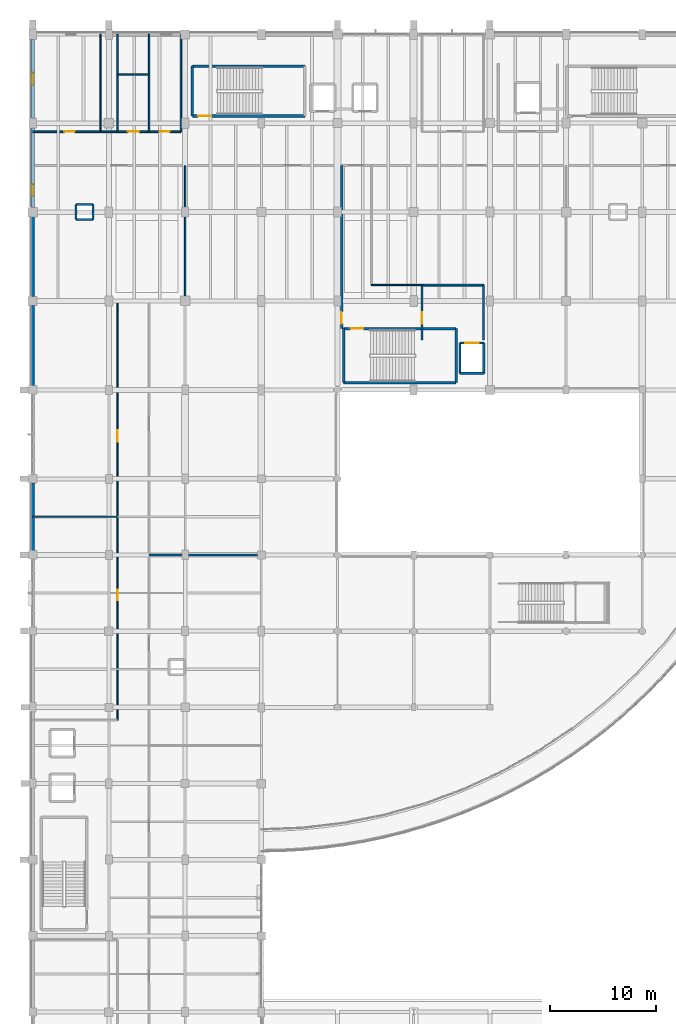
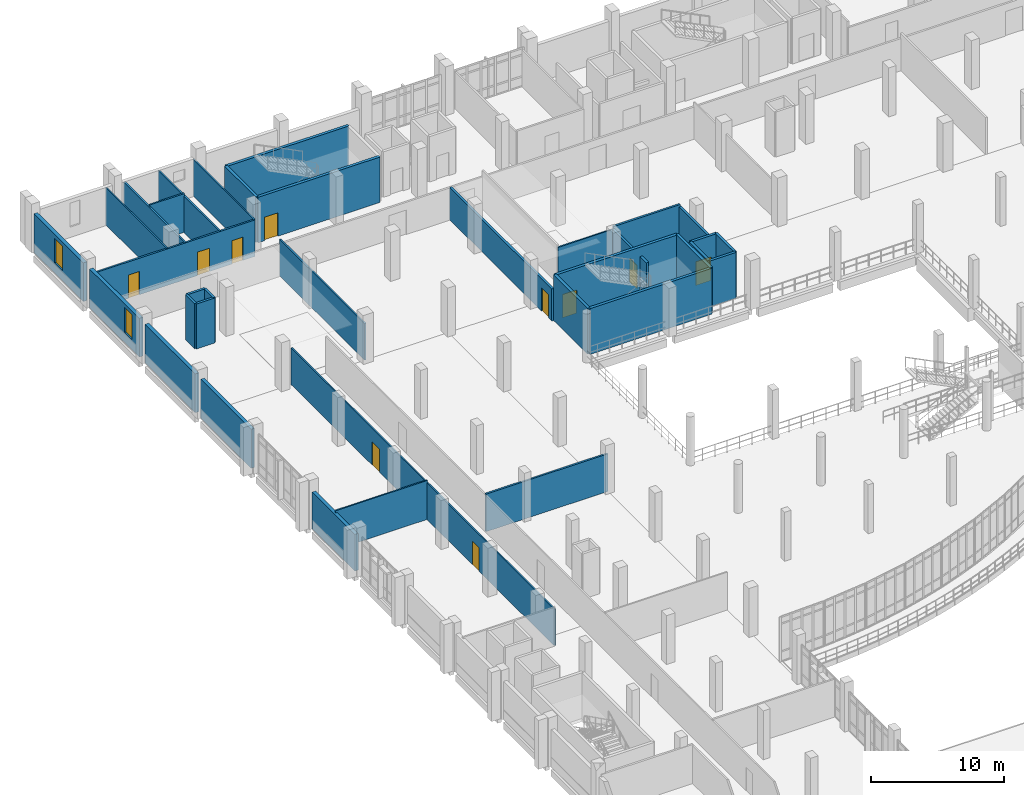
# One storey, part 115 of 134: 35 walls, 10 doors, 2 windows, 12 openings.
"""IFC4 building model written with IfcOpenShell, lengths in metres."""

from ifc_helpers import new_model, si_unit, direction, frame, frame_2d, origin, place, context, subcontext, project, spatial, rectangle, extrude, material, layer, layer_set, type_object, element, fill, save


model = new_model("IFC4")

# Units and contexts
model_context = context("Model", 3, precision=1e-05, world=origin(), true_north=direction((0.0, 1.0)))
body_context = subcontext(model_context, "Body", "Model", "MODEL_VIEW")
ifc_project = project(units=[si_unit("LENGTHUNIT", "METRE"), si_unit("AREAUNIT", "SQUARE_METRE"), si_unit("VOLUMEUNIT", "CUBIC_METRE"), si_unit("PLANEANGLEUNIT", "RADIAN"), si_unit("MASSUNIT", "GRAM", prefix="KILO")], contexts=[model_context])

# Site, building, storey
site_placement = place(None, origin())
site = spatial("IfcSite", under=ifc_project, at=site_placement, CompositionType="ELEMENT")
building_placement = place(site_placement, origin())
building = spatial("IfcBuilding", under=site, at=building_placement, Name="Kalluvel Institute of Natural Sciences", CompositionType="ELEMENT")
storey_placement = place(building_placement, frame((0.0, 0.0, 5.39990234375)))
storey = spatial("IfcBuildingStorey", under=building, at=storey_placement, Name="L01", CompositionType="ELEMENT", Elevation=5.39990234375)

# Wall, opening, door
ifc_material_1 = material(Name="Concrete M40", Category="concrete")
ifc_layer_1 = layer(ifc_material_1, 0.25)
ifc_layer_set_1 = layer_set([ifc_layer_1], Name="Concrete M40")
wall_type_1 = type_object("IfcWallType", Name="WL-CORE-250", PredefinedType="SHEAR", material=ifc_layer_set_1)
wall_1_placement = place(storey_placement, frame((29.0849609375, 120.284912109375, 0.0), z_axis=(0.0, 0.0, 1.0), x_axis=(1.0, 0.0, 0.0)))
wall_1 = element("IfcWall", 1, at=wall_1_placement, inside=storey, type_object=wall_type_1, Name="ST1 L01 core wall S", PredefinedType="SHEAR", context=body_context, shape_type="SweptSolid", body=[
    extrude(rectangle(XDim=10.630126953125, YDim=0.25, at=frame_2d((5.31494140625, 0.0))), origin(), (0.0, 0.0, 1.0), 4.175048828125),
])
opening_1_placement = place(wall_1_placement, frame((0.550048828125, 0.0, 0.0)))
opening_1 = element("IfcOpeningElement", 2, at=opening_1_placement, cuts=wall_1, Name="Opening DS-003", PredefinedType="OPENING", context=body_context, shape_type="SweptSolid", body=[
    extrude(rectangle(XDim=1.199951171875, YDim=2.14990234375, at=frame_2d((0.60009765625, 1.074951171875))), frame((0.0, 0.135009765625, 0.0), z_axis=(0.0, -1.0, 0.0), x_axis=(1.0, 0.0, 0.0)), (0.0, 0.0, 1.0), 0.27001953125),
])
ifc_material_2 = material(Name="Galvanized Fire-Rated Steel", Category="steel")
door_type_1 = type_object("IfcDoorType", Name="DR-ST-1200", OperationType="NOTDEFINED", PredefinedType="DOOR", material=ifc_material_2)
door_1_placement = place(opening_1_placement, origin())
door_1 = element("IfcDoor", 3, at=door_1_placement, inside=storey, type_object=door_type_1, Name="ST1 L01 protected stair door DS-003", OperationType="SINGLE_SWING_LEFT", OverallHeight=2.14990234375, OverallWidth=1.199951171875, PredefinedType="DOOR", context=body_context, shape_type="SweptSolid", body=[
    extrude(rectangle(XDim=1.199951171875, YDim=2.14990234375, at=frame_2d((0.60009765625, 1.074951171875))), frame((0.0, 0.02490234375, 0.0), z_axis=(0.0, -1.0, 0.0), x_axis=(1.0, 0.0, 0.0)), (0.0, 0.0, 1.0), 0.050048828125),
])
fill(opening_1, door_1)

# Walls
wall_2_placement = place(storey_placement, frame((39.715087890625, 124.985107421875, 0.0), z_axis=(0.0, 0.0, 1.0), x_axis=(-1.0, 0.0, 0.0)))
element("IfcWall", 4, at=wall_2_placement, inside=storey, type_object=wall_type_1, Name="ST1 L01 core wall N", PredefinedType="SHEAR", context=body_context, shape_type="SweptSolid", body=[
    extrude(rectangle(XDim=10.630126953125, YDim=0.25, at=frame_2d((5.31494140625, 0.0))), origin(), (0.0, 0.0, 1.0), 4.175048828125),
])
wall_3_placement = place(storey_placement, frame((29.0849609375, 124.985107421875, 0.0), z_axis=(0.0, 0.0, 1.0), x_axis=(0.0, -1.0, 0.0)))
element("IfcWall", 5, at=wall_3_placement, inside=storey, type_object=wall_type_1, Name="ST1 L01 core wall W", PredefinedType="SHEAR", context=body_context, shape_type="SweptSolid", body=[
    extrude(rectangle(XDim=4.7001953125, YDim=0.25, at=frame_2d((2.35009765625, 0.0))), origin(), (0.0, 0.0, 1.0), 4.175048828125),
])
wall_4_placement = place(storey_placement, frame((43.385009765625, 95.0849609375, 0.0), z_axis=(0.0, 0.0, 1.0), x_axis=(1.0, 0.0, 0.0)))
element("IfcWall", 6, at=wall_4_placement, inside=storey, type_object=wall_type_1, Name="ST3 L01 core wall S", PredefinedType="SHEAR", context=body_context, shape_type="SweptSolid", body=[
    extrude(rectangle(XDim=10.6298828125, YDim=0.25, at=frame_2d((5.31494140625, 0.0))), origin(), (0.0, 0.0, 1.0), 4.215087890625),
])
wall_5_placement = place(storey_placement, frame((54.014892578125, 95.0849609375, 0.0), z_axis=(0.0, 0.0, 1.0), x_axis=(0.0, 1.0, 0.0)))
element("IfcWall", 7, at=wall_5_placement, inside=storey, type_object=wall_type_1, Name="ST3 L01 core wall E", PredefinedType="SHEAR", context=body_context, shape_type="SweptSolid", body=[
    extrude(rectangle(XDim=5.10009765625, YDim=0.25, at=frame_2d((2.550048828125, 0.0))), origin(), (0.0, 0.0, 1.0), 4.215087890625),
])

# Wall, opening, door
wall_6_placement = place(storey_placement, frame((54.014892578125, 100.18505859375, 0.0), z_axis=(0.0, 0.0, 1.0), x_axis=(-1.0, 0.0, 0.0)))
wall_6 = element("IfcWall", 8, at=wall_6_placement, inside=storey, type_object=wall_type_1, Name="ST3 L01 core wall N", PredefinedType="SHEAR", context=body_context, shape_type="SweptSolid", body=[
    extrude(rectangle(XDim=10.6298828125, YDim=0.25, at=frame_2d((5.31494140625, 0.0))), origin(), (0.0, 0.0, 1.0), 4.215087890625),
])
opening_2_placement = place(wall_6_placement, frame((8.780029296875, 0.0, 0.0)))
opening_2 = element("IfcOpeningElement", 9, at=opening_2_placement, cuts=wall_6, Name="Opening DS-025", PredefinedType="OPENING", context=body_context, shape_type="SweptSolid", body=[
    extrude(rectangle(XDim=1.199951171875, YDim=2.14990234375, at=frame_2d((0.60009765625, 1.074951171875))), frame((0.0, 0.135009765625, 0.0), z_axis=(0.0, -1.0, 0.0), x_axis=(1.0, 0.0, 0.0)), (0.0, 0.0, 1.0), 0.27001953125),
])
door_2_placement = place(opening_2_placement, origin())
door_2 = element("IfcDoor", 10, at=door_2_placement, inside=storey, type_object=door_type_1, Name="ST3 L01 protected stair door DS-025", OperationType="SINGLE_SWING_LEFT", OverallHeight=2.14990234375, OverallWidth=1.199951171875, PredefinedType="DOOR", context=body_context, shape_type="SweptSolid", body=[
    extrude(rectangle(XDim=1.199951171875, YDim=2.14990234375, at=frame_2d((0.60009765625, 1.074951171875))), frame((0.0, 0.02490234375, 0.0), z_axis=(0.0, -1.0, 0.0), x_axis=(1.0, 0.0, 0.0)), (0.0, 0.0, 1.0), 0.050048828125),
])
fill(opening_2, door_2)

# Walls
wall_7_placement = place(storey_placement, frame((43.385009765625, 100.18505859375, 0.0), z_axis=(0.0, 0.0, 1.0), x_axis=(0.0, -1.0, 0.0)))
element("IfcWall", 11, at=wall_7_placement, inside=storey, type_object=wall_type_1, Name="ST3 L01 core wall W", PredefinedType="SHEAR", context=body_context, shape_type="SweptSolid", body=[
    extrude(rectangle(XDim=5.10009765625, YDim=0.25, at=frame_2d((2.550048828125, 0.0))), origin(), (0.0, 0.0, 1.0), 4.215087890625),
])
ifc_material_3 = material(Name="Sadarahalli Grey Granite Ashlar Concrete M40", Category="masonry")
ifc_layer_2 = layer(ifc_material_3, 0.300048828125)
ifc_layer_set_2 = layer_set([ifc_layer_2], Name="Sadarahalli Grey Granite Ashlar Concrete M40")
wall_type_2 = type_object("IfcWallType", Name="WL-EXT-300", PredefinedType="SOLIDWALL", material=ifc_layer_set_2)
wall_8_placement = place(storey_placement, frame((14.0, 79.179931640625, 0.0), z_axis=(0.0, 0.0, 1.0), x_axis=(0.0, 1.0, 0.0)))
element("IfcWall", 12, at=wall_8_placement, inside=storey, type_object=wall_type_2, Name="L01 Sadarahalli granite exterior wall WL-EXT-L01-0153", PredefinedType="SOLIDWALL", context=body_context, shape_type="SweptSolid", body=[
    extrude(rectangle(XDim=6.440185546875, YDim=0.300048828125, at=frame_2d((3.22021484375, 0.0))), origin(), (0.0, 0.0, 1.0), 3.375),
])
wall_9_placement = place(storey_placement, frame((14.0, 94.780029296875, 0.0), z_axis=(0.0, 0.0, 1.0), x_axis=(0.0, 1.0, 0.0)))
element("IfcWall", 13, at=wall_9_placement, inside=storey, type_object=wall_type_2, Name="L01 Sadarahalli granite exterior wall WL-EXT-L01-0154", PredefinedType="SOLIDWALL", context=body_context, shape_type="SweptSolid", body=[
    extrude(rectangle(XDim=7.614990234375, YDim=0.300048828125, at=frame_2d((3.8076171875, 0.0))), origin(), (0.0, 0.0, 1.0), 3.5751953125),
])
ifc_layer_3 = layer(ifc_material_3, 0.320068359375)
ifc_layer_set_3 = layer_set([ifc_layer_3], Name="Sadarahalli Grey Granite Ashlar Concrete M40")
wall_type_3 = type_object("IfcWallType", Name="WL-EXT-320", PredefinedType="SOLIDWALL", material=ifc_layer_set_3)
wall_10_placement = place(storey_placement, frame((14.0, 103.205078125, 0.0), z_axis=(0.0, 0.0, 1.0), x_axis=(0.0, 1.0, 0.0)))
element("IfcWall", 14, at=wall_10_placement, inside=storey, type_object=wall_type_3, Name="L01 Sadarahalli granite exterior wall WL-EXT-L01-0025", PredefinedType="SOLIDWALL", context=body_context, shape_type="SweptSolid", body=[
    extrude(rectangle(XDim=7.56494140625, YDim=0.320068359375, at=frame_2d((3.782470703125, 0.0))), origin(), (0.0, 0.0, 1.0), 3.55517578125),
])

# Wall, opening, window
wall_11_placement = place(storey_placement, frame((14.0, 111.6298828125, 0.0), z_axis=(0.0, 0.0, 1.0), x_axis=(0.0, 1.0, 0.0)))
wall_11 = element("IfcWall", 15, at=wall_11_placement, inside=storey, type_object=wall_type_3, Name="L01 Sadarahalli granite exterior wall WL-EXT-L01-0026", PredefinedType="SOLIDWALL", context=body_context, shape_type="SweptSolid", body=[
    extrude(rectangle(XDim=7.51513671875, YDim=0.320068359375, at=frame_2d((3.757568359375, 0.0))), origin(), (0.0, 0.0, 1.0), 3.55517578125),
])
opening_3_placement = place(wall_11_placement, frame((1.10009765625, 0.0, 0.949951171875)))
opening_3 = element("IfcOpeningElement", 16, at=opening_3_placement, cuts=wall_11, Name="Opening W-03", PredefinedType="OPENING", context=body_context, shape_type="SweptSolid", body=[
    extrude(rectangle(XDim=1.10009765625, YDim=2.300048828125, at=frame_2d((0.550048828125, 1.14990234375))), frame((0.0, 0.169921875, 0.0), z_axis=(0.0, -1.0, 0.0), x_axis=(1.0, 0.0, 0.0)), (0.0, 0.0, 1.0), 0.340087890625),
])
ifc_material_4 = material(Name="Solar-Control Low-E Laminated Glass", Category="glass")
window_type_1 = type_object("IfcWindowType", Name="WN-LAN-110x230", PartitioningType="SINGLE_PANEL", PredefinedType="WINDOW", material=ifc_material_4)
window_1_placement = place(opening_3_placement, origin())
window_1 = element("IfcWindow", 17, at=window_1_placement, inside=storey, type_object=window_type_1, Name="L01 Gothic lancet window 13", OverallHeight=2.300048828125, OverallWidth=1.10009765625, PartitioningType="SINGLE_PANEL", PredefinedType="WINDOW", context=body_context, shape_type="SweptSolid", body=[
    extrude(rectangle(XDim=1.10009765625, YDim=2.300048828125, at=frame_2d((0.550048828125, 1.14990234375))), frame((0.0, 0.030029296875, 0.0), z_axis=(0.0, -1.0, 0.0), x_axis=(1.0, 0.0, 0.0)), (0.0, 0.0, 1.0), 0.06005859375),
])
fill(opening_3, window_1)

wall_12_placement = place(storey_placement, frame((14.0, 120.054931640625, 0.0), z_axis=(0.0, 0.0, 1.0), x_axis=(0.0, 1.0, 0.0)))
wall_12 = element("IfcWall", 18, at=wall_12_placement, inside=storey, type_object=wall_type_3, Name="L01 Sadarahalli granite exterior wall WL-EXT-L01-0027", PredefinedType="SOLIDWALL", context=body_context, shape_type="SweptSolid", body=[
    extrude(rectangle(XDim=7.465087890625, YDim=0.320068359375, at=frame_2d((3.732421875, 0.0))), origin(), (0.0, 0.0, 1.0), 3.55517578125),
])
opening_4_placement = place(wall_12_placement, frame((3.157470703125, 0.0, 0.949951171875)))
opening_4 = element("IfcOpeningElement", 19, at=opening_4_placement, cuts=wall_12, Name="Opening W-16", PredefinedType="OPENING", context=body_context, shape_type="SweptSolid", body=[
    extrude(rectangle(XDim=1.14990234375, YDim=2.25, at=frame_2d((0.574951171875, 1.125))), frame((0.0, 0.169921875, 0.0), z_axis=(0.0, -1.0, 0.0), x_axis=(1.0, 0.0, 0.0)), (0.0, 0.0, 1.0), 0.340087890625),
])
window_type_2 = type_object("IfcWindowType", Name="WN-LAN-115x225", PartitioningType="SINGLE_PANEL", PredefinedType="WINDOW", material=ifc_material_4)
window_2_placement = place(opening_4_placement, origin())
window_2 = element("IfcWindow", 20, at=window_2_placement, inside=storey, type_object=window_type_2, Name="L01 Gothic lancet window 14", OverallHeight=2.25, OverallWidth=1.14990234375, PartitioningType="SINGLE_PANEL", PredefinedType="WINDOW", context=body_context, shape_type="SweptSolid", body=[
    extrude(rectangle(XDim=1.14990234375, YDim=2.25, at=frame_2d((0.574951171875, 1.125))), frame((0.0, 0.030029296875, 0.0), z_axis=(0.0, -1.0, 0.0), x_axis=(1.0, 0.0, 0.0)), (0.0, 0.0, 1.0), 0.06005859375),
])
fill(opening_4, window_2)

# Wall
ifc_material_5 = material(Name="Autoclaved Aerated Concrete Masonry Block", Category="masonry")
ifc_layer_4 = layer(ifc_material_5, 0.179931640625)
ifc_layer_set_4 = layer_set([ifc_layer_4], Name="Autoclaved Aerated Concrete Masonry Block")
wall_type_4 = type_object("IfcWallType", Name="WL-FIRE-180", PredefinedType="SOLIDWALL", material=ifc_layer_set_4)
wall_13_placement = place(storey_placement, frame((50.800048828125, 104.300048828125, 0.0), z_axis=(0.0, 0.0, 1.0), x_axis=(1.0, 0.0, 0.0)))
element("IfcWall", 21, at=wall_13_placement, inside=storey, type_object=wall_type_4, Name="L01 interior fire wall WL-INT-L01-0083", PredefinedType="SOLIDWALL", context=body_context, shape_type="SweptSolid", body=[
    extrude(rectangle(XDim=5.800048828125, YDim=0.179931640625, at=frame_2d((2.89990234375, 0.0))), origin(), (0.0, 0.0, 1.0), 3.56005859375),
])

# Wall, opening, door
ifc_layer_5 = layer(ifc_material_5, 0.199951171875)
ifc_layer_set_5 = layer_set([ifc_layer_5], Name="Autoclaved Aerated Concrete Masonry Block")
wall_type_5 = type_object("IfcWallType", Name="WL-FIRE-200", PredefinedType="SOLIDWALL", material=ifc_layer_set_5)
wall_14_placement = place(storey_placement, frame((50.800048828125, 99.10009765625, 0.0), z_axis=(0.0, 0.0, 1.0), x_axis=(0.0, 1.0, 0.0)))
wall_14 = element("IfcWall", 22, at=wall_14_placement, inside=storey, type_object=wall_type_5, Name="L01 interior fire wall WL-INT-L01-0081", PredefinedType="SOLIDWALL", context=body_context, shape_type="SweptSolid", body=[
    extrude(rectangle(XDim=5.199951171875, YDim=0.199951171875, at=frame_2d((2.60009765625, 0.0))), origin(), (0.0, 0.0, 1.0), 3.360107421875),
])
opening_5_placement = place(wall_14_placement, frame((1.550048828125, 0.0, 0.0)))
opening_5 = element("IfcOpeningElement", 23, at=opening_5_placement, cuts=wall_14, Name="Opening D-093", PredefinedType="OPENING", context=body_context, shape_type="SweptSolid", body=[
    extrude(rectangle(XDim=1.10009765625, YDim=2.14990234375, at=frame_2d((0.550048828125, 1.074951171875))), frame((0.0, 0.10986328125, 0.0), z_axis=(0.0, -1.0, 0.0), x_axis=(1.0, 0.0, 0.0)), (0.0, 0.0, 1.0), 0.219970703125),
])
door_type_2 = type_object("IfcDoorType", Name="DR-FD60-1100", OperationType="NOTDEFINED", PredefinedType="DOOR", material=ifc_material_2)
door_3_placement = place(opening_5_placement, origin())
door_3 = element("IfcDoor", 24, at=door_3_placement, inside=storey, type_object=door_type_2, Name="L01 ST3-FF2 link door D-093", OperationType="SINGLE_SWING_LEFT", OverallHeight=2.14990234375, OverallWidth=1.10009765625, PredefinedType="DOOR", context=body_context, shape_type="SweptSolid", body=[
    extrude(rectangle(XDim=1.10009765625, YDim=2.14990234375, at=frame_2d((0.550048828125, 1.074951171875))), frame((0.0, 0.02490234375, 0.0), z_axis=(0.0, -1.0, 0.0), x_axis=(1.0, 0.0, 0.0)), (0.0, 0.0, 1.0), 0.050048828125),
])
fill(opening_5, door_3)

# Wall
wall_15_placement = place(storey_placement, frame((56.60009765625, 99.10009765625, 0.0), z_axis=(0.0, 0.0, 1.0), x_axis=(0.0, 1.0, 0.0)))
element("IfcWall", 25, at=wall_15_placement, inside=storey, type_object=wall_type_5, Name="L01 interior fire wall WL-INT-L01-0082", PredefinedType="SOLIDWALL", context=body_context, shape_type="SweptSolid", body=[
    extrude(rectangle(XDim=5.199951171875, YDim=0.199951171875, at=frame_2d((2.60009765625, 0.0))), origin(), (0.0, 0.0, 1.0), 3.360107421875),
])

# Wall, opening, door
wall_16_placement = place(storey_placement, frame((43.199951171875, 100.199951171875, 0.0), z_axis=(0.0, 0.0, 1.0), x_axis=(0.0, 1.0, 0.0)))
wall_16 = element("IfcWall", 26, at=wall_16_placement, inside=storey, type_object=wall_type_5, Name="L01 interior fire wall WL-INT-L01-0084", PredefinedType="SOLIDWALL", context=body_context, shape_type="SweptSolid", body=[
    extrude(rectangle(XDim=15.400146484375, YDim=0.199951171875, at=frame_2d((7.7001953125, 0.0))), origin(), (0.0, 0.0, 1.0), 2.960205078125),
])
opening_6_placement = place(wall_16_placement, frame((0.449951171875, 0.0, 0.0)))
opening_6 = element("IfcOpeningElement", 27, at=opening_6_placement, cuts=wall_16, Name="Opening D-094", PredefinedType="OPENING", context=body_context, shape_type="SweptSolid", body=[
    extrude(rectangle(XDim=1.10009765625, YDim=2.14990234375, at=frame_2d((0.550048828125, 1.074951171875))), frame((0.0, 0.10986328125, 0.0), z_axis=(0.0, -1.0, 0.0), x_axis=(1.0, 0.0, 0.0)), (0.0, 0.0, 1.0), 0.219970703125),
])
door_4_placement = place(opening_6_placement, origin())
door_4 = element("IfcDoor", 28, at=door_4_placement, inside=storey, type_object=door_type_2, Name="L01 Concourse to Central Stair door D-094", OperationType="SINGLE_SWING_LEFT", OverallHeight=2.14990234375, OverallWidth=1.10009765625, PredefinedType="DOOR", context=body_context, shape_type="SweptSolid", body=[
    extrude(rectangle(XDim=1.10009765625, YDim=2.14990234375, at=frame_2d((0.550048828125, 1.074951171875))), frame((0.0, 0.02490234375, 0.0), z_axis=(0.0, -1.0, 0.0), x_axis=(1.0, 0.0, 0.0)), (0.0, 0.0, 1.0), 0.050048828125),
])
fill(opening_6, door_4)

# Walls
ifc_material_6 = material(Name="Acoustic Gypsum Twin-Stud Partition", Category="gypsum")
ifc_layer_6 = layer(ifc_material_6, 0.1201171875)
ifc_layer_set_6 = layer_set([ifc_layer_6], Name="Acoustic Gypsum Twin-Stud Partition")
wall_type_6 = type_object("IfcWallType", Name="WL-PART-120", PredefinedType="PARTITIONING", material=ifc_layer_set_6)
wall_17_placement = place(storey_placement, frame((46.0, 104.300048828125, 0.0), z_axis=(0.0, 0.0, 1.0), x_axis=(1.0, 0.0, 0.0)))
element("IfcWall", 29, at=wall_17_placement, inside=storey, type_object=wall_type_6, Name="L01 interior partition wall WL-INT-L01-0086", PredefinedType="PARTITIONING", context=body_context, shape_type="SweptSolid", body=[
    extrude(rectangle(XDim=4.800048828125, YDim=0.1201171875, at=frame_2d((2.39990234375, 0.0))), origin(), (0.0, 0.0, 1.0), 3.31005859375),
])
wall_18_placement = place(storey_placement, frame((20.39990234375, 118.800048828125, 0.0), z_axis=(0.0, 0.0, 1.0), x_axis=(0.0, 1.0, 0.0)))
element("IfcWall", 30, at=wall_18_placement, inside=storey, type_object=wall_type_6, Name="L01 interior partition wall WL-INT-L01-0089", PredefinedType="PARTITIONING", context=body_context, shape_type="SweptSolid", body=[
    extrude(rectangle(XDim=9.199951171875, YDim=0.1201171875, at=frame_2d((4.60009765625, 0.0))), origin(), (0.0, 0.0, 1.0), 3.41015625),
])
wall_19_placement = place(storey_placement, frame((28.0, 118.800048828125, 0.0), z_axis=(0.0, 0.0, 1.0), x_axis=(0.0, 1.0, 0.0)))
element("IfcWall", 31, at=wall_19_placement, inside=storey, type_object=wall_type_6, Name="L01 interior partition wall WL-INT-L01-0092", PredefinedType="PARTITIONING", context=body_context, shape_type="SweptSolid", body=[
    extrude(rectangle(XDim=9.199951171875, YDim=0.1201171875, at=frame_2d((4.60009765625, 0.0))), origin(), (0.0, 0.0, 1.0), 3.360107421875),
])

# Wall, openings, doors
wall_20_placement = place(storey_placement, frame((22.0, 63.199951171875, 0.0), z_axis=(0.0, 0.0, 1.0), x_axis=(0.0, 1.0, 0.0)))
wall_20 = element("IfcWall", 32, at=wall_20_placement, inside=storey, type_object=wall_type_6, Name="L01 interior partition wall WL-INT-L01-0110", PredefinedType="PARTITIONING", context=body_context, shape_type="SweptSolid", body=[
    extrude(rectangle(XDim=39.60009765625, YDim=0.1201171875, at=frame_2d((19.800048828125, 0.0))), origin(), (0.0, 0.0, 1.0), 3.380126953125),
])
opening_7_placement = place(wall_20_placement, frame((11.300048828125, 0.0, 0.0)))
opening_7 = element("IfcOpeningElement", 33, at=opening_7_placement, cuts=wall_20, Name="Opening D-114", PredefinedType="OPENING", context=body_context, shape_type="SweptSolid", body=[
    extrude(rectangle(XDim=1.0, YDim=2.14990234375, at=frame_2d((0.5, 1.074951171875))), frame((0.0, 0.070068359375, 0.0), z_axis=(0.0, -1.0, 0.0), x_axis=(1.0, 0.0, 0.0)), (0.0, 0.0, 1.0), 0.14013671875),
])
opening_8_placement = place(wall_20_placement, frame((26.300048828125, 0.0, 0.0)))
opening_8 = element("IfcOpeningElement", 34, at=opening_8_placement, cuts=wall_20, Name="Opening D-115", PredefinedType="OPENING", context=body_context, shape_type="SweptSolid", body=[
    extrude(rectangle(XDim=1.10009765625, YDim=2.14990234375, at=frame_2d((0.550048828125, 1.074951171875))), frame((0.0, 0.070068359375, 0.0), z_axis=(0.0, -1.0, 0.0), x_axis=(1.0, 0.0, 0.0)), (0.0, 0.0, 1.0), 0.14013671875),
])
ifc_material_7 = material(Name="Engineered Hardwood Acoustic Leaf", Category="wood")
door_type_3 = type_object("IfcDoorType", Name="DR-INT-1000", OperationType="NOTDEFINED", PredefinedType="DOOR", material=ifc_material_7)
door_5_placement = place(opening_7_placement, origin())
door_5 = element("IfcDoor", 35, at=door_5_placement, inside=storey, type_object=door_type_3, Name="L01 DW-N1 door D-114", OperationType="SINGLE_SWING_LEFT", OverallHeight=2.14990234375, OverallWidth=1.0, PredefinedType="DOOR", context=body_context, shape_type="SweptSolid", body=[
    extrude(rectangle(XDim=1.0, YDim=2.14990234375, at=frame_2d((0.5, 1.074951171875))), frame((0.0, 0.02490234375, 0.0), z_axis=(0.0, -1.0, 0.0), x_axis=(1.0, 0.0, 0.0)), (0.0, 0.0, 1.0), 0.050048828125),
])
fill(opening_7, door_5)
door_type_4 = type_object("IfcDoorType", Name="DR-INT-1100", OperationType="NOTDEFINED", PredefinedType="DOOR", material=ifc_material_7)
door_6_placement = place(opening_8_placement, origin())
door_6 = element("IfcDoor", 36, at=door_6_placement, inside=storey, type_object=door_type_4, Name="L01 DW-N2 door D-115", OperationType="SINGLE_SWING_RIGHT", OverallHeight=2.14990234375, OverallWidth=1.10009765625, PredefinedType="DOOR", context=body_context, shape_type="SweptSolid", body=[
    extrude(rectangle(XDim=1.10009765625, YDim=2.14990234375, at=frame_2d((0.550048828125, 1.074951171875))), frame((0.0, 0.02490234375, 0.0), z_axis=(0.0, -1.0, 0.0), x_axis=(1.0, 0.0, 0.0)), (0.0, 0.0, 1.0), 0.050048828125),
])
fill(opening_8, door_6)

# Walls
wall_21_placement = place(storey_placement, frame((14.0, 82.39990234375, 0.0), z_axis=(0.0, 0.0, 1.0), x_axis=(1.0, 0.0, 0.0)))
element("IfcWall", 37, at=wall_21_placement, inside=storey, type_object=wall_type_6, Name="L01 interior partition wall WL-INT-L01-0113", PredefinedType="PARTITIONING", context=body_context, shape_type="SweptSolid", body=[
    extrude(rectangle(XDim=8.0, YDim=0.1201171875, at=frame_2d((4.0, 0.0))), origin(), (0.0, 0.0, 1.0), 3.580078125),
])
ifc_layer_7 = layer(ifc_material_6, 0.139892578125)
ifc_layer_set_7 = layer_set([ifc_layer_7], Name="Acoustic Gypsum Twin-Stud Partition")
wall_type_7 = type_object("IfcWallType", Name="WL-PART-140", PredefinedType="PARTITIONING", material=ifc_layer_set_7)
wall_22_placement = place(storey_placement, frame((22.0, 124.199951171875, 0.0), z_axis=(0.0, 0.0, 1.0), x_axis=(1.0, 0.0, 0.0)))
element("IfcWall", 38, at=wall_22_placement, inside=storey, type_object=wall_type_7, Name="L01 interior partition wall WL-INT-L01-0088", PredefinedType="PARTITIONING", context=body_context, shape_type="SweptSolid", body=[
    extrude(rectangle(XDim=3.0, YDim=0.139892578125, at=frame_2d((1.5, 0.0))), origin(), (0.0, 0.0, 1.0), 3.56005859375),
])
wall_23_placement = place(storey_placement, frame((25.0, 118.800048828125, 0.0), z_axis=(0.0, 0.0, 1.0), x_axis=(0.0, 1.0, 0.0)))
element("IfcWall", 39, at=wall_23_placement, inside=storey, type_object=wall_type_7, Name="L01 interior partition wall WL-INT-L01-0091", PredefinedType="PARTITIONING", context=body_context, shape_type="SweptSolid", body=[
    extrude(rectangle(XDim=9.199951171875, YDim=0.139892578125, at=frame_2d((4.60009765625, 0.0))), origin(), (0.0, 0.0, 1.0), 3.360107421875),
])
wall_24_placement = place(storey_placement, frame((28.39990234375, 102.800048828125, 0.0), z_axis=(0.0, 0.0, 1.0), x_axis=(0.0, 1.0, 0.0)))
element("IfcWall", 40, at=wall_24_placement, inside=storey, type_object=wall_type_7, Name="L01 interior partition wall WL-INT-L01-0100", PredefinedType="PARTITIONING", context=body_context, shape_type="SweptSolid", body=[
    extrude(rectangle(XDim=12.800048828125, YDim=0.139892578125, at=frame_2d((6.39990234375, 0.0))), origin(), (0.0, 0.0, 1.0), 3.360107421875),
])

# Wall, openings, doors
ifc_layer_8 = layer(ifc_material_5, 0.159912109375)
ifc_layer_set_8 = layer_set([ifc_layer_8], Name="Autoclaved Aerated Concrete Masonry Block")
wall_type_8 = type_object("IfcWallType", Name="WL-PART-160", PredefinedType="PARTITIONING", material=ifc_layer_set_8)
wall_25_placement = place(storey_placement, frame((14.0, 118.800048828125, 0.0), z_axis=(0.0, 0.0, 1.0), x_axis=(1.0, 0.0, 0.0)))
wall_25 = element("IfcWall", 41, at=wall_25_placement, inside=storey, type_object=wall_type_8, Name="L01 interior partition wall WL-INT-L01-0087", PredefinedType="PARTITIONING", context=body_context, shape_type="SweptSolid", body=[
    extrude(rectangle(XDim=14.0, YDim=0.159912109375, at=frame_2d((7.0, 0.0))), origin(), (0.0, 0.0, 1.0), 3.360107421875),
])
opening_9_placement = place(wall_25_placement, frame((3.0, 0.0, 0.0)))
opening_9 = element("IfcOpeningElement", 42, at=opening_9_placement, cuts=wall_25, Name="Opening D-095", PredefinedType="OPENING", context=body_context, shape_type="SweptSolid", body=[
    extrude(rectangle(XDim=0.949951171875, YDim=2.14990234375, at=frame_2d((0.47509765625, 1.074951171875))), frame((0.0, 0.08984375, 0.0), z_axis=(0.0, -1.0, 0.0), x_axis=(1.0, 0.0, 0.0)), (0.0, 0.0, 1.0), 0.179931640625),
])
opening_10_placement = place(wall_25_placement, frame((9.0, 0.0, 0.0)))
opening_10 = element("IfcOpeningElement", 43, at=opening_10_placement, cuts=wall_25, Name="Opening D-096", PredefinedType="OPENING", context=body_context, shape_type="SweptSolid", body=[
    extrude(rectangle(XDim=1.050048828125, YDim=2.14990234375, at=frame_2d((0.52490234375, 1.074951171875))), frame((0.0, 0.08984375, 0.0), z_axis=(0.0, -1.0, 0.0), x_axis=(1.0, 0.0, 0.0)), (0.0, 0.0, 1.0), 0.179931640625),
])
opening_11_placement = place(wall_25_placement, frame((12.0, 0.0, 0.0)))
opening_11 = element("IfcOpeningElement", 44, at=opening_11_placement, cuts=wall_25, Name="Opening D-097", PredefinedType="OPENING", context=body_context, shape_type="SweptSolid", body=[
    extrude(rectangle(XDim=0.949951171875, YDim=2.14990234375, at=frame_2d((0.47509765625, 1.074951171875))), frame((0.0, 0.08984375, 0.0), z_axis=(0.0, -1.0, 0.0), x_axis=(1.0, 0.0, 0.0)), (0.0, 0.0, 1.0), 0.179931640625),
])
door_type_5 = type_object("IfcDoorType", Name="DR-ACC-1050", OperationType="NOTDEFINED", PredefinedType="DOOR", material=ifc_material_7)
door_7_placement = place(opening_10_placement, origin())
door_7 = element("IfcDoor", 45, at=door_7_placement, inside=storey, type_object=door_type_5, Name="L01 Accessible WC door D-096", OperationType="SINGLE_SWING_RIGHT", OverallHeight=2.14990234375, OverallWidth=1.050048828125, PredefinedType="DOOR", context=body_context, shape_type="SweptSolid", body=[
    extrude(rectangle(XDim=1.050048828125, YDim=2.14990234375, at=frame_2d((0.52490234375, 1.074951171875))), frame((0.0, 0.02490234375, 0.0), z_axis=(0.0, -1.0, 0.0), x_axis=(1.0, 0.0, 0.0)), (0.0, 0.0, 1.0), 0.050048828125),
])
fill(opening_10, door_7)
door_type_6 = type_object("IfcDoorType", Name="DR-INT-950", OperationType="NOTDEFINED", PredefinedType="DOOR", material=ifc_material_7)
door_8_placement = place(opening_9_placement, origin())
door_8 = element("IfcDoor", 46, at=door_8_placement, inside=storey, type_object=door_type_6, Name="L01 Male WC door D-095", OperationType="SINGLE_SWING_LEFT", OverallHeight=2.14990234375, OverallWidth=0.949951171875, PredefinedType="DOOR", context=body_context, shape_type="SweptSolid", body=[
    extrude(rectangle(XDim=0.949951171875, YDim=2.14990234375, at=frame_2d((0.47509765625, 1.074951171875))), frame((0.0, 0.02490234375, 0.0), z_axis=(0.0, -1.0, 0.0), x_axis=(1.0, 0.0, 0.0)), (0.0, 0.0, 1.0), 0.050048828125),
])
fill(opening_9, door_8)
door_9_placement = place(opening_11_placement, origin())
door_9 = element("IfcDoor", 47, at=door_9_placement, inside=storey, type_object=door_type_6, Name="L01 Female WC door D-097", OperationType="SINGLE_SWING_LEFT", OverallHeight=2.14990234375, OverallWidth=0.949951171875, PredefinedType="DOOR", context=body_context, shape_type="SweptSolid", body=[
    extrude(rectangle(XDim=0.949951171875, YDim=2.14990234375, at=frame_2d((0.47509765625, 1.074951171875))), frame((0.0, 0.02490234375, 0.0), z_axis=(0.0, -1.0, 0.0), x_axis=(1.0, 0.0, 0.0)), (0.0, 0.0, 1.0), 0.050048828125),
])
fill(opening_11, door_9)

# Walls
wall_26_placement = place(storey_placement, frame((22.0, 118.800048828125, 0.0), z_axis=(0.0, 0.0, 1.0), x_axis=(0.0, 1.0, 0.0)))
element("IfcWall", 48, at=wall_26_placement, inside=storey, type_object=wall_type_8, Name="L01 interior partition wall WL-INT-L01-0090", PredefinedType="PARTITIONING", context=body_context, shape_type="SweptSolid", body=[
    extrude(rectangle(XDim=9.199951171875, YDim=0.159912109375, at=frame_2d((4.60009765625, 0.0))), origin(), (0.0, 0.0, 1.0), 3.360107421875),
])
wall_27_placement = place(storey_placement, frame((25.0, 78.800048828125, 0.0), z_axis=(0.0, 0.0, 1.0), x_axis=(1.0, 0.0, 0.0)))
element("IfcWall", 49, at=wall_27_placement, inside=storey, type_object=wall_type_8, Name="L01 interior partition wall WL-INT-L01-0108", PredefinedType="PARTITIONING", context=body_context, shape_type="SweptSolid", body=[
    extrude(rectangle(XDim=10.60009765625, YDim=0.159912109375, at=frame_2d((5.300048828125, 0.0))), origin(), (0.0, 0.0, 1.0), 3.460205078125),
])
ifc_layer_9 = layer(ifc_material_1, 0.199951171875)
ifc_layer_set_9 = layer_set([ifc_layer_9], Name="Concrete M40")
wall_type_9 = type_object("IfcWallType", Name="WL-RISER-200", PredefinedType="SHEAR", material=ifc_layer_set_9)
wall_28_placement = place(storey_placement, frame((18.10009765625, 110.5, 0.0), z_axis=(0.0, 0.0, 1.0), x_axis=(1.0, 0.0, 0.0)))
element("IfcWall", 50, at=wall_28_placement, inside=storey, type_object=wall_type_9, Name="RS-WET-W L01 service riser enclosure S", PredefinedType="SHEAR", context=body_context, shape_type="SweptSolid", body=[
    extrude(rectangle(XDim=1.599853515625, YDim=0.199951171875, at=frame_2d((0.7998046875, 0.0))), origin(), (0.0, 0.0, 1.0), 4.14013671875),
])
wall_29_placement = place(storey_placement, frame((19.699951171875, 110.5, 0.0), z_axis=(0.0, 0.0, 1.0), x_axis=(0.0, 1.0, 0.0)))
element("IfcWall", 51, at=wall_29_placement, inside=storey, type_object=wall_type_9, Name="RS-WET-W L01 service riser enclosure E", PredefinedType="SHEAR", context=body_context, shape_type="SweptSolid", body=[
    extrude(rectangle(XDim=1.39990234375, YDim=0.199951171875, at=frame_2d((0.699951171875, 0.0))), origin(), (0.0, 0.0, 1.0), 4.14013671875),
])
wall_30_placement = place(storey_placement, frame((19.699951171875, 111.89990234375, 0.0), z_axis=(0.0, 0.0, 1.0), x_axis=(-1.0, 0.0, 0.0)))
element("IfcWall", 52, at=wall_30_placement, inside=storey, type_object=wall_type_9, Name="RS-WET-W L01 service riser enclosure N", PredefinedType="SHEAR", context=body_context, shape_type="SweptSolid", body=[
    extrude(rectangle(XDim=1.599853515625, YDim=0.199951171875, at=frame_2d((0.7998046875, 0.0))), origin(), (0.0, 0.0, 1.0), 4.14013671875),
])
wall_31_placement = place(storey_placement, frame((18.10009765625, 111.89990234375, 0.0), z_axis=(0.0, 0.0, 1.0), x_axis=(0.0, -1.0, 0.0)))
element("IfcWall", 53, at=wall_31_placement, inside=storey, type_object=wall_type_9, Name="RS-WET-W L01 service riser enclosure W", PredefinedType="SHEAR", context=body_context, shape_type="SweptSolid", body=[
    extrude(rectangle(XDim=1.39990234375, YDim=0.199951171875, at=frame_2d((0.699951171875, 0.0))), origin(), (0.0, 0.0, 1.0), 4.14013671875),
])
ifc_layer_10 = layer(ifc_material_1, 0.219970703125)
ifc_layer_set_10 = layer_set([ifc_layer_10], Name="Concrete M40")
wall_type_10 = type_object("IfcWallType", Name="WL-SHAFT-220", PredefinedType="SHEAR", material=ifc_layer_set_10)
wall_32_placement = place(storey_placement, frame((54.3701171875, 95.969970703125, 0.0), z_axis=(0.0, 0.0, 1.0), x_axis=(1.0, 0.0, 0.0)))
element("IfcWall", 54, at=wall_32_placement, inside=storey, type_object=wall_type_10, Name="LF8 L01 lift shaft wall", PredefinedType="SHEAR", context=body_context, shape_type="SweptSolid", body=[
    extrude(rectangle(XDim=2.259765625, YDim=0.219970703125, at=frame_2d((1.1298828125, 0.0))), origin(), (0.0, 0.0, 1.0), 4.215087890625),
])
wall_33_placement = place(storey_placement, frame((56.6298828125, 95.969970703125, 0.0), z_axis=(0.0, 0.0, 1.0), x_axis=(0.0, 1.0, 0.0)))
element("IfcWall", 55, at=wall_33_placement, inside=storey, type_object=wall_type_10, Name="LF8 L01 lift shaft wall", PredefinedType="SHEAR", context=body_context, shape_type="SweptSolid", body=[
    extrude(rectangle(XDim=2.860107421875, YDim=0.219970703125, at=frame_2d((1.43017578125, 0.0))), origin(), (0.0, 0.0, 1.0), 4.215087890625),
])

# Wall, opening, door
wall_34_placement = place(storey_placement, frame((56.6298828125, 98.830078125, 0.0), z_axis=(0.0, 0.0, 1.0), x_axis=(-1.0, 0.0, 0.0)))
wall_34 = element("IfcWall", 56, at=wall_34_placement, inside=storey, type_object=wall_type_10, Name="LF8 L01 lift shaft wall", PredefinedType="SHEAR", context=body_context, shape_type="SweptSolid", body=[
    extrude(rectangle(XDim=2.259765625, YDim=0.219970703125, at=frame_2d((1.1298828125, 0.0))), origin(), (0.0, 0.0, 1.0), 4.215087890625),
])
opening_12_placement = place(wall_34_placement, frame((0.47998046875, 0.0, 0.0)))
opening_12 = element("IfcOpeningElement", 57, at=opening_12_placement, cuts=wall_34, Name="Opening LD-061", PredefinedType="OPENING", context=body_context, shape_type="SweptSolid", body=[
    extrude(rectangle(XDim=1.300048828125, YDim=2.199951171875, at=frame_2d((0.64990234375, 1.10009765625))), frame((0.0, 0.119873046875, 0.0), z_axis=(0.0, -1.0, 0.0), x_axis=(1.0, 0.0, 0.0)), (0.0, 0.0, 1.0), 0.239990234375),
])
door_type_7 = type_object("IfcDoorType", Name="DR-LD-1300", OperationType="NOTDEFINED", PredefinedType="DOOR", material=ifc_material_2)
door_10_placement = place(opening_12_placement, origin())
door_10 = element("IfcDoor", 58, at=door_10_placement, inside=storey, type_object=door_type_7, Name="LF8 L01 sliding lift landing door LD-061", OperationType="DOUBLE_DOOR_SLIDING", OverallHeight=2.199951171875, OverallWidth=1.300048828125, PredefinedType="DOOR", context=body_context, shape_type="SweptSolid", body=[
    extrude(rectangle(XDim=1.300048828125, YDim=2.199951171875, at=frame_2d((0.64990234375, 1.10009765625))), frame((0.0, 0.02490234375, 0.0), z_axis=(0.0, -1.0, 0.0), x_axis=(1.0, 0.0, 0.0)), (0.0, 0.0, 1.0), 0.050048828125),
])
fill(opening_12, door_10)

# Wall
wall_35_placement = place(storey_placement, frame((54.3701171875, 98.830078125, 0.0), z_axis=(0.0, 0.0, 1.0), x_axis=(0.0, -1.0, 0.0)))
element("IfcWall", 59, at=wall_35_placement, inside=storey, type_object=wall_type_10, Name="LF8 L01 lift shaft wall", PredefinedType="SHEAR", context=body_context, shape_type="SweptSolid", body=[
    extrude(rectangle(XDim=2.860107421875, YDim=0.219970703125, at=frame_2d((1.43017578125, 0.0))), origin(), (0.0, 0.0, 1.0), 4.215087890625),
])

save(model, "model.ifc")
